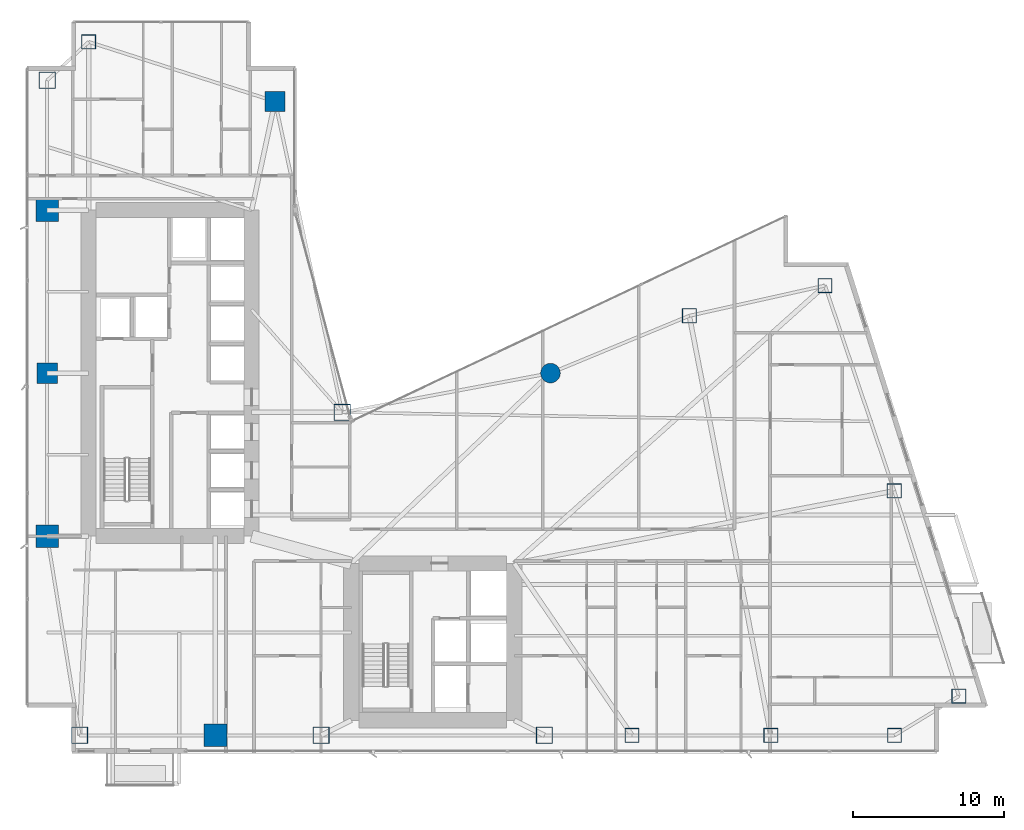
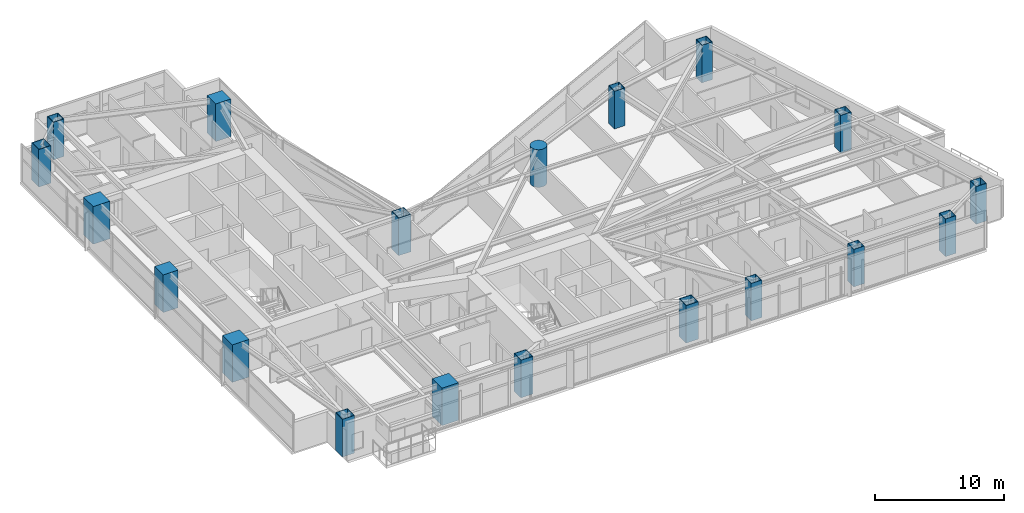
# One storey, part 1 of 30: 19 columns.
"""IFC4 building model written with IfcOpenShell, lengths in metres."""

from ifc_helpers import new_model, si_unit, direction, frame, origin, origin_2d, place, context, subcontext, project, spatial, rectangle, hollow_rectangle, circle, extrude, material, material_profile, profile_set, type_object, element, save


model = new_model("IFC4")

# Units and contexts
model_context = context("Model", 3, precision=1e-05, world=origin(), true_north=direction((0.0, 1.0)))
body_context = subcontext(model_context, "Body", "Model", "MODEL_VIEW")
ifc_project = project(units=[si_unit("LENGTHUNIT", "METRE"), si_unit("AREAUNIT", "SQUARE_METRE"), si_unit("VOLUMEUNIT", "CUBIC_METRE"), si_unit("PLANEANGLEUNIT", "RADIAN"), si_unit("MASSUNIT", "GRAM", prefix="KILO")], contexts=[model_context])

# Site, building, storey
site_placement = place(None, origin())
site = spatial("IfcSite", under=ifc_project, at=site_placement, CompositionType="ELEMENT")
building_placement = place(site_placement, origin())
building = spatial("IfcBuilding", under=site, at=building_placement, Name="Calvorn Quay Hotel", CompositionType="ELEMENT")
storey_placement = place(building_placement, frame((0.0, 0.0, 54.60009765625)))
storey = spatial("IfcBuildingStorey", under=building, at=storey_placement, Name="L12", CompositionType="ELEMENT", Elevation=54.60009765625)

# Columns
ifc_material_1 = material(Name="Concrete C60", Category="concrete")
ifc_material_profile_1 = material_profile(ifc_material_1, rectangle(XDim=1.35009765625, YDim=1.35009765625, at=origin_2d()), Name="RC1350x1350")
ifc_profile_set_1 = profile_set([ifc_material_profile_1], Name="Concrete C60")
column_type_1 = type_object("IfcColumnType", Name="COL-RC-1350", PredefinedType="COLUMN", material=ifc_profile_set_1)
for number, where, z_axis, x_axis, name in (
    (1, (1.449951171875, 27.60009765625, 0.0), (0.0, 0.0, 1.0), (1.0, 0.0, 0.0), "Column C-W3 (L12)"),
    (2, (16.550048828125, 45.60009765625, 0.0), (0.0, 0.0, 1.0), (1.0, 0.0, 0.0), "Column C-IC1 (L12)"),
):
    element("IfcColumn", number, at=place(storey_placement, frame(where, z_axis=z_axis, x_axis=x_axis)), inside=storey, type_object=column_type_1, Name=name, PredefinedType="COLUMN", context=body_context, shape_type="SweptSolid", body=[
        extrude(rectangle(XDim=1.35009765625, YDim=1.35009765625, at=origin_2d()), origin(), (0.0, 0.0, 1.0), 3.559814453125),
    ])
ifc_material_2 = material(Name="Concrete C60", Category="concrete")
ifc_material_profile_2 = material_profile(ifc_material_2, rectangle(XDim=1.5, YDim=1.5, at=origin_2d()), Name="RC1500x1500")
ifc_profile_set_2 = profile_set([ifc_material_profile_2], Name="Concrete C60")
column_type_2 = type_object("IfcColumnType", Name="COL-RC-1500", PredefinedType="COLUMN", material=ifc_profile_set_2)
for number, where, z_axis, x_axis, name in (
    (3, (1.449951171875, 16.800048828125, 0.0), (0.0, 0.0, 1.0), (1.0, 0.0, 0.0), "Column C-W2 (L12)"),
    (4, (1.449951171875, 38.39990234375, 0.0), (0.0, 0.0, 1.0), (1.0, 0.0, 0.0), "Column C-W4 (L12)"),
    (5, (12.60009765625, 3.60009765625, 0.0), (0.0, 0.0, 1.0), (1.0, 0.0, 0.0), "Column C-S1 (L12)"),
):
    element("IfcColumn", number, at=place(storey_placement, frame(where, z_axis=z_axis, x_axis=x_axis)), inside=storey, type_object=column_type_2, Name=name, PredefinedType="COLUMN", context=body_context, shape_type="SweptSolid", body=[
        extrude(rectangle(XDim=1.5, YDim=1.5, at=origin_2d()), origin(), (0.0, 0.0, 1.0), 3.559814453125),
    ])
ifc_material_3 = material(Name="Concrete C60", Category="concrete")
ifc_material_profile_3 = material_profile(ifc_material_3, circle(Radius=0.64990234375, at=origin_2d()), Name="RCD1300")
ifc_profile_set_3 = profile_set([ifc_material_profile_3], Name="Concrete C60")
column_type_3 = type_object("IfcColumnType", Name="COL-RC-D1300", PredefinedType="COLUMN", material=ifc_profile_set_3)
column_placement = place(storey_placement, frame((34.800048828125, 27.60009765625, 0.0), z_axis=(0.0, 0.0, 1.0), x_axis=(1.0, 0.0, 0.0)))
element("IfcColumn", 6, at=column_placement, inside=storey, type_object=column_type_3, Name="Column C-NC1 (L12)", PredefinedType="COLUMN", context=body_context, shape_type="SweptSolid", body=[
    extrude(circle(Radius=0.64990234375, at=origin_2d()), origin(), (0.0, 0.0, 1.0), 3.559814453125),
])
ifc_material_4 = material(Name="Steel Q420GJC", Category="steel")
ifc_material_profile_4 = material_profile(ifc_material_4, hollow_rectangle(XDim=1.10009765625, YDim=1.10009765625, WallThickness=0.044921875, at=origin_2d()), Name="BOX1100x1100x45")
ifc_profile_set_4 = profile_set([ifc_material_profile_4], Name="Steel Q420GJC")
column_type_4 = type_object("IfcColumnType", Name="COL-STL-MEGA1", PredefinedType="COLUMN", material=ifc_profile_set_4)
for number, where, z_axis, x_axis, name in (
    (7, (3.60009765625, 3.60009765625, 0.0), (0.0, 0.0, 1.0), (1.0, 0.0, 0.0), "Column C-W1 (L12)"),
    (8, (1.449951171875, 47.0, 0.0), (0.0, 0.0, 1.0), (1.0, 0.0, 0.0), "Column C-W5 (L12)"),
    (9, (21.0, 25.0, 0.0), (0.0, 0.0, 1.0), (1.0, 0.0, 0.0), "Column C-IC2 (L12)"),
    (10, (19.60009765625, 3.60009765625, 0.0), (0.0, 0.0, 1.0), (1.0, 0.0, 0.0), "Column C-S2 (L12)"),
    (11, (34.39990234375, 3.60009765625, 0.0), (0.0, 0.0, 1.0), (1.0, 0.0, 0.0), "Column C-S3 (L12)"),
):
    element("IfcColumn", number, at=place(storey_placement, frame(where, z_axis=z_axis, x_axis=x_axis)), inside=storey, type_object=column_type_4, Name=name, PredefinedType="COLUMN", context=body_context, shape_type="SweptSolid", body=[
        extrude(hollow_rectangle(XDim=1.10009765625, YDim=1.10009765625, WallThickness=0.044921875, at=origin_2d()), origin(), (0.0, 0.0, 1.0), 3.559814453125),
    ])
ifc_material_5 = material(Name="Steel Q420GJC", Category="steel")
ifc_material_profile_5 = material_profile(ifc_material_5, hollow_rectangle(XDim=0.949951171875, YDim=0.949951171875, WallThickness=0.0400390625, at=origin_2d()), Name="BOX950x950x40")
ifc_profile_set_5 = profile_set([ifc_material_profile_5], Name="Steel Q420GJC")
column_type_5 = type_object("IfcColumnType", Name="COL-STL-MEGA2", PredefinedType="COLUMN", material=ifc_profile_set_5)
for number, where, z_axis, x_axis, name in (
    (12, (4.199951171875, 49.550048828125, 0.0), (0.0, 0.0, 1.0), (1.0, 0.0, 0.0), "Column C-NW1 (L12)"),
    (13, (40.199951171875, 3.60009765625, 0.0), (0.0, 0.0, 1.0), (1.0, 0.0, 0.0), "Column C-S4 (L12)"),
    (14, (49.39990234375, 3.60009765625, 0.0), (0.0, 0.0, 1.0), (1.0, 0.0, 0.0), "Column C-S5 (L12)"),
    (15, (57.60009765625, 3.60009765625, 0.0), (0.0, 0.0, 1.0), (1.0, 0.0, 0.0), "Column C-S6 (L12)"),
    (16, (44.0, 31.39990234375, 0.0), (0.0, 0.0, 1.0), (1.0, 0.0, 0.0), "Column C-NC2 (L12)"),
    (17, (61.861083984375, 6.199951171875, 0.0), (0.0, 0.0, 1.0), (1.0, 0.0, 0.0), "Column C-ET1 (L12)"),
    (18, (57.575927734375, 19.800048828125, 0.0), (0.0, 0.0, 1.0), (1.0, 0.0, 0.0), "Column C-ET2 (L12)"),
    (19, (52.990966796875, 33.39990234375, 0.0), (0.0, 0.0, 1.0), (1.0, 0.0, 0.0), "Column C-ET3 (L12)"),
):
    element("IfcColumn", number, at=place(storey_placement, frame(where, z_axis=z_axis, x_axis=x_axis)), inside=storey, type_object=column_type_5, Name=name, PredefinedType="COLUMN", context=body_context, shape_type="SweptSolid", body=[
        extrude(hollow_rectangle(XDim=0.949951171875, YDim=0.949951171875, WallThickness=0.0400390625, at=origin_2d()), origin(), (0.0, 0.0, 1.0), 3.559814453125),
    ])

save(model, "model.ifc")
